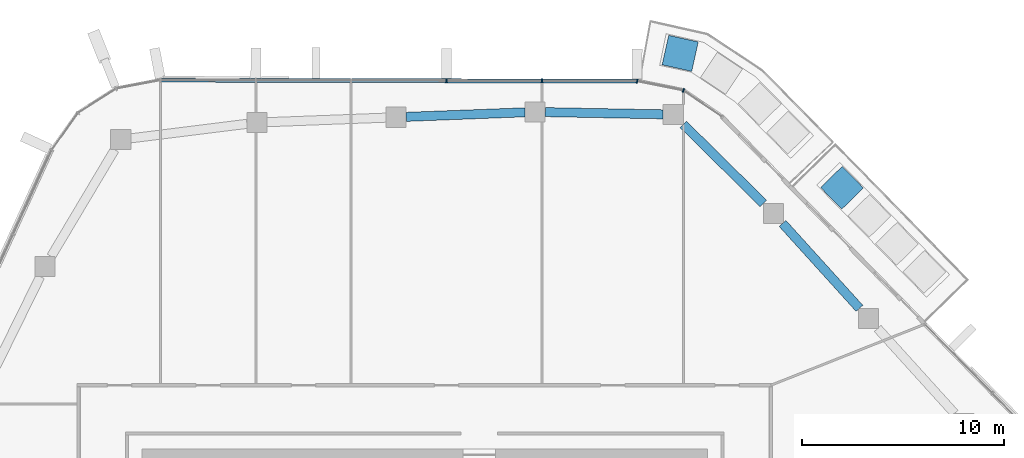
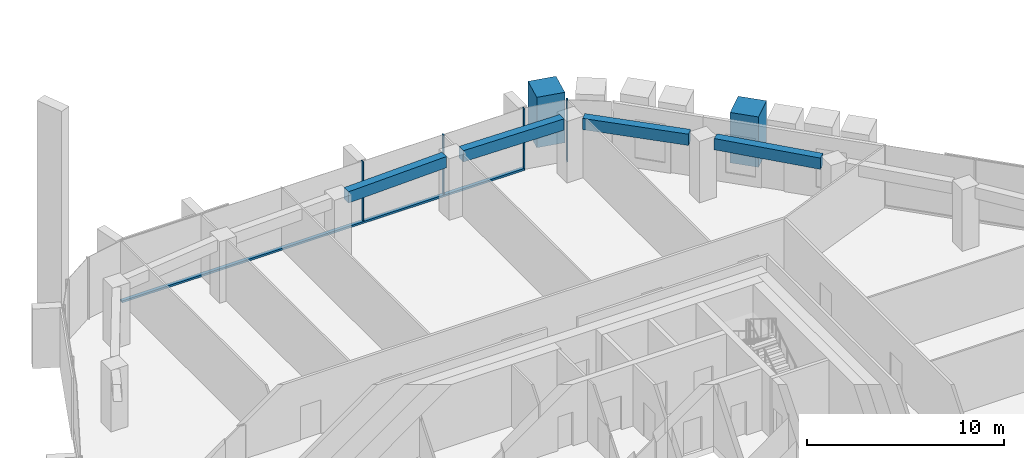
# One storey, part 9 of 24: 7 members, 4 beams, 2 elements without a shape of their own.
"""IFC4 building model written with IfcOpenShell, lengths in metres."""

from ifc_helpers import new_model, si_unit, direction, frame, origin, origin_2d, place, context, subcontext, project, spatial, rectangle, extrude, material, layer, layer_set, material_profile, profile_set, type_object, element, aggregate, save


model = new_model("IFC4")

# Units and contexts
model_context = context("Model", 3, precision=1e-05, world=origin(), true_north=direction((0.0, 1.0)))
body_context = subcontext(model_context, "Body", "Model", "MODEL_VIEW")
ifc_project = project(units=[si_unit("LENGTHUNIT", "METRE"), si_unit("AREAUNIT", "SQUARE_METRE"), si_unit("VOLUMEUNIT", "CUBIC_METRE"), si_unit("PLANEANGLEUNIT", "RADIAN"), si_unit("MASSUNIT", "GRAM", prefix="KILO")], contexts=[model_context])

# Site, building, storey
site_placement = place(None, origin())
site = spatial("IfcSite", under=ifc_project, at=site_placement, CompositionType="ELEMENT")
building_placement = place(site_placement, origin())
building = spatial("IfcBuilding", under=site, at=building_placement, Name="Dongbaek Canopy Tower", CompositionType="ELEMENT")
storey_placement = place(building_placement, frame((0.0, 0.0, 306.800048828125)))
storey = spatial("IfcBuildingStorey", under=building, at=storey_placement, Name="L65", CompositionType="ELEMENT", Elevation=306.800048828125)

# Curtain wall, members
ifc_material_1 = material(Name="Aluminium 6063-T6 pale anodised", Category="aluminium")
ifc_layer = layer(ifc_material_1, 0.199951171875)
ifc_layer_set = layer_set([ifc_layer], Name="CW-1 unitised tower curtain wall")
curtain_wall_type = type_object("IfcCurtainWallType", Name="CW-1 unitised tower curtain wall", PredefinedType="NOTDEFINED", material=ifc_layer_set)
curtain_wall_1_placement = place(storey_placement, origin())
curtain_wall_1 = element("IfcCurtainWall", 1, at=curtain_wall_1_placement, inside=storey, type_object=curtain_wall_type, Name="CW-1 curtain wall K1.1", PredefinedType="NOTDEFINED")
ifc_material_2 = material(Name="Aluminium 6063-T6 pale anodised", Category="aluminium")
ifc_material_profile_1 = material_profile(ifc_material_2, rectangle(XDim=0.199951171875, YDim=0.06005859375, at=origin_2d()), Name="CW-1 mullion 60 x 200")
ifc_profile_set_1 = profile_set([ifc_material_profile_1], Name="Aluminium 6063-T6 pale anodised")
member_type_1 = type_object("IfcMemberType", Name="CW-1 mullion 60 x 200", PredefinedType="MULLION", material=ifc_profile_set_1)
member_1_placement = place(storey_placement, frame((12.813720703125, 28.750732421875, 0.0), z_axis=(0.0, 0.0, 1.0), x_axis=(0.388722757848, 0.921354772892, 0.0)))
member_1 = element("IfcMember", 2, at=member_1_placement, type_object=member_type_1, Name="CW-1 mullion K1.1.2", PredefinedType="MULLION", context=body_context, shape_type="SweptSolid", body=[
    extrude(rectangle(XDim=0.199951171875, YDim=0.06005859375, at=origin_2d()), origin(), (0.0, 0.0, 1.0), 3.820068359375),
])
member_2_placement = place(storey_placement, frame((10.52392578125, 29.216552734375, 0.0), z_axis=(0.0, 0.0, 1.0), x_axis=(0.199367619142, 0.979924768764, 0.0)))
member_2 = element("IfcMember", 3, at=member_2_placement, type_object=member_type_1, Name="CW-1 mullion K1.1.3", PredefinedType="MULLION", context=body_context, shape_type="SweptSolid", body=[
    extrude(rectangle(XDim=0.199951171875, YDim=0.06005859375, at=origin_2d()), origin(), (0.0, 0.0, 1.0), 3.820068359375),
])
aggregate(curtain_wall_1, [member_1, member_2])

curtain_wall_2_placement = place(storey_placement, origin())
curtain_wall_2 = element("IfcCurtainWall", 4, at=curtain_wall_2_placement, inside=storey, type_object=curtain_wall_type, Name="CW-1 curtain wall F1.1", PredefinedType="NOTDEFINED")
member_3_placement = place(storey_placement, frame((5.8076171875, 29.226806640625, 0.119873046875), z_axis=(0.0, 0.0, 1.0), x_axis=(0.002180161438, 0.999997623445, 0.0)))
member_3 = element("IfcMember", 5, at=member_3_placement, type_object=member_type_1, Name="CW-1 mullion F1.1.2", PredefinedType="MULLION", context=body_context, shape_type="SweptSolid", body=[
    extrude(rectangle(XDim=0.199951171875, YDim=0.06005859375, at=origin_2d()), origin(), (0.0, 0.0, 1.0), 3.7001953125),
])
member_4_placement = place(storey_placement, frame((1.08154296875, 29.2373046875, 0.119873046875), z_axis=(0.0, 0.0, 1.0), x_axis=(0.002180161438, 0.999997623445, 0.0)))
member_4 = element("IfcMember", 6, at=member_4_placement, type_object=member_type_1, Name="CW-1 mullion F1.1.3", PredefinedType="MULLION", context=body_context, shape_type="SweptSolid", body=[
    extrude(rectangle(XDim=0.199951171875, YDim=0.06005859375, at=origin_2d()), origin(), (0.0, 0.0, 1.0), 3.7001953125),
])
ifc_material_3 = material(Name="Aluminium 6063-T6 pale anodised", Category="aluminium")
ifc_material_profile_2 = material_profile(ifc_material_3, rectangle(XDim=0.199951171875, YDim=0.1201171875, at=origin_2d()), Name="CW-1 transom 120 x 200")
ifc_profile_set_2 = profile_set([ifc_material_profile_2], Name="Aluminium 6063-T6 pale anodised")
member_type_2 = type_object("IfcMemberType", Name="CW-1 transom 120 x 200", PredefinedType="USERDEFINED", material=ifc_profile_set_2)
member_5_placement = place(storey_placement, frame((10.52392578125, 29.216552734375, 0.06005859375), z_axis=(-0.999997620024, 0.00218173027, 0.0), x_axis=(-0.00218173027, -0.999997620024, 0.0)))
member_5 = element("IfcMember", 7, at=member_5_placement, type_object=member_type_2, Name="CW-1 transom F1.1.1", ObjectType="TRANSOM", PredefinedType="USERDEFINED", context=body_context, shape_type="SweptSolid", body=[
    extrude(rectangle(XDim=0.199951171875, YDim=0.1201171875, at=origin_2d()), origin(), (0.0, 0.0, 1.0), 23.611328125),
])
aggregate(curtain_wall_2, [member_3, member_4, member_5])

# Beams
ifc_material_4 = material(Name="Concrete C60", Category="concrete")
ifc_material_profile_3 = material_profile(ifc_material_4, rectangle(XDim=0.449951171875, YDim=0.699951171875, at=origin_2d()), Name="RC EDGE BEAM 450x700 C60")
ifc_profile_set_3 = profile_set([ifc_material_profile_3], Name="Concrete C60")
beam_type = type_object("IfcBeamType", Name="RC EDGE BEAM 450x700 C60", PredefinedType="BEAM", material=ifc_profile_set_3)
beam_1_placement = place(storey_placement, frame((-0.91796875, 27.447265625, 3.469970703125), z_axis=(0.999267098379, 0.038278794366, 0.0), x_axis=(-0.038278794366, 0.999267098379, 0.0)))
element("IfcBeam", 8, at=beam_1_placement, inside=storey, type_object=beam_type, Name="EDGEBEAM:L65:15", PredefinedType="BEAM", context=body_context, shape_type="SweptSolid", body=[
    extrude(rectangle(XDim=0.449951171875, YDim=0.699951171875, at=origin_2d()), origin(), (0.0, 0.0, 1.0), 5.893310546875),
])
beam_2_placement = place(storey_placement, frame((5.970947265625, 27.6826171875, 3.469970703125), z_axis=(0.99982249395, -0.018840928625, 0.0), x_axis=(0.018840928625, 0.99982249395, 0.0)))
element("IfcBeam", 9, at=beam_2_placement, inside=storey, type_object=beam_type, Name="EDGEBEAM:L65:16", PredefinedType="BEAM", context=body_context, shape_type="SweptSolid", body=[
    extrude(rectangle(XDim=0.449951171875, YDim=0.699951171875, at=origin_2d()), origin(), (0.0, 0.0, 1.0), 5.843994140625),
])
beam_3_placement = place(storey_placement, frame((12.81396484375, 27.069580078125, 3.469970703125), z_axis=(0.711740530271, -0.702442465665, 0.0), x_axis=(0.702442465665, 0.711740530271, 0.0)))
element("IfcBeam", 10, at=beam_3_placement, inside=storey, type_object=beam_type, Name="EDGEBEAM:L65:17", PredefinedType="BEAM", context=body_context, shape_type="SweptSolid", body=[
    extrude(rectangle(XDim=0.449951171875, YDim=0.699951171875, at=origin_2d()), origin(), (0.0, 0.0, 1.0), 5.56640625),
])
beam_4_placement = place(storey_placement, frame((17.72900390625, 22.166015625, 3.469970703125), z_axis=(0.67133921348, -0.741150227986, 0.0), x_axis=(0.741150227986, 0.67133921348, 0.0)))
element("IfcBeam", 11, at=beam_4_placement, inside=storey, type_object=beam_type, Name="EDGEBEAM:L65:18", PredefinedType="BEAM", context=body_context, shape_type="SweptSolid", body=[
    extrude(rectangle(XDim=0.449951171875, YDim=0.699951171875, at=origin_2d()), origin(), (0.0, 0.0, 1.0), 5.67236328125),
])

# Members
ifc_material_5 = material(Name="Concrete C40/50 planter mass with planting", Category="concrete")
ifc_material_profile_4 = material_profile(ifc_material_5, rectangle(XDim=1.5, YDim=1.5, at=origin_2d()), Name="Terrace PLANTER shrub mass 1500 x 1500")
ifc_profile_set_4 = profile_set([ifc_material_profile_4], Name="Concrete C40/50 planter mass with planting")
member_type_3 = type_object("IfcMemberType", Name="Terrace PLANTER shrub mass 1500 x 1500", PredefinedType="USERDEFINED", material=ifc_profile_set_4)
for number, where, z_axis, x_axis, name in (
    (12, (20.6748046875, 23.934814453125, 0.419921875), (0.0, 0.0, 1.0), (0.714780141035, 0.699349233203, 0.0), "Planter shrubs L65 1.4"),
    (13, (12.65625, 30.592529296875, 0.419921875), (0.0, 0.0, 1.0), (0.21791609372, 0.975967507706, 0.0), "Planter shrubs L65 5.4"),
):
    element("IfcMember", number, at=place(storey_placement, frame(where, z_axis=z_axis, x_axis=x_axis)), inside=storey, type_object=member_type_3, Name=name, ObjectType="PLANTER", PredefinedType="USERDEFINED", context=body_context, shape_type="SweptSolid", body=[
        extrude(rectangle(XDim=1.5, YDim=1.5, at=origin_2d()), origin(), (0.0, 0.0, 1.0), 3.130126953125),
    ])

save(model, "model.ifc")
